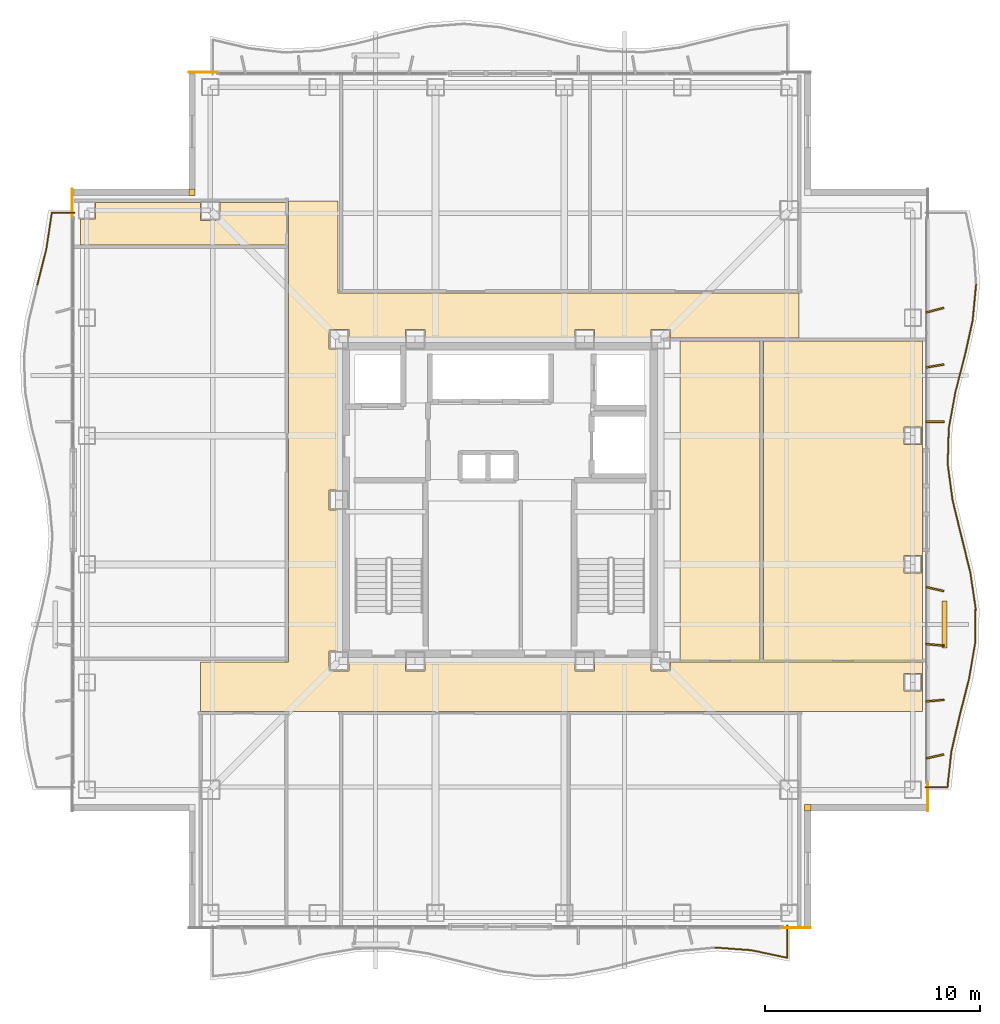
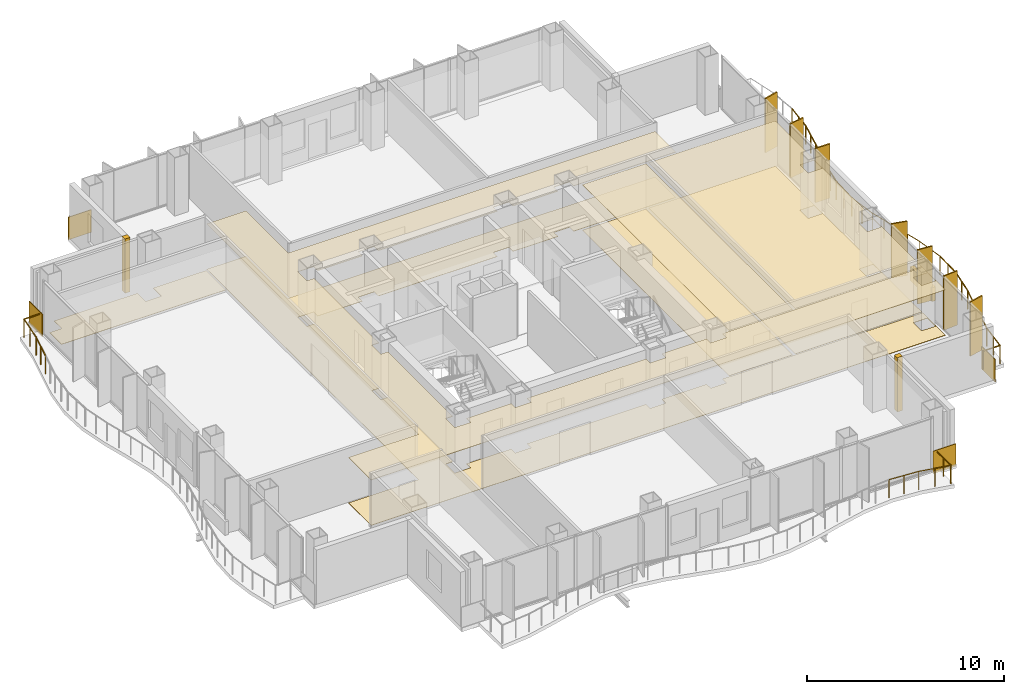
# One storey, part 15 of 16: 21 railings, 13 coverings, 8 shading devices.
"""IFC4 building model written with IfcOpenShell, lengths in metres."""

import ifcopenshell
import ifcopenshell.guid

model = None  # the IFC model being written
_history = None  # IfcOwnerHistory: only IFC2X3 demands one
_inside = {}  # id of a spatial element -> (the spatial element, [elements in it])
_under = {}  # id of a project, library or spatial element -> (it, [spatial elements below it])
_declared = {}  # id of a project -> (the project, [libraries it declares])
_typed = {}  # id of a type object -> (the type object, [elements of that type])
_made_of = {}  # id of a material, layer set ... -> (it, [elements and type objects made of it])


def new_model(schema):
    """Start an empty IFC model of exactly this schema.

    Asked for "IFC4X3", IfcOpenShell would pick the latest addendum, in which some entities
    have other attributes; the version numbers below select the first issue.
    IFC2X3 requires an IfcOwnerHistory on every rooted entity: one is made here for all.
    """
    global model, _history
    if schema == "IFC4X3":
        model = ifcopenshell.file(schema_version=(4, 3, 0, 0))
    else:
        model = ifcopenshell.file(schema=schema)
    _inside.clear()
    _under.clear()
    _declared.clear()
    _typed.clear()
    _made_of.clear()
    _history = None
    if model.schema == "IFC2X3":
        org = make("IfcOrganization", Name="unknown")
        user = make(
            "IfcPersonAndOrganization",
            ThePerson=make("IfcPerson", FamilyName="unknown"),
            TheOrganization=org,
        )
        app = make(
            "IfcApplication",
            ApplicationDeveloper=org,
            Version="unknown",
            ApplicationFullName="unknown",
            ApplicationIdentifier="unknown",
        )
        _history = make(
            "IfcOwnerHistory",
            OwningUser=user,
            OwningApplication=app,
            ChangeAction="ADDED",
            CreationDate=0,
        )
    return model


def make(cls, **values):
    """One entity of the class cls with the attributes given. An attribute that is None is left unset."""
    return model.create_entity(
        cls, **{name: value for name, value in values.items() if value is not None}
    )


def rooted(cls, **values):
    """An entity with a GlobalId (a new one), such as an element, a storey or a relation."""
    return make(cls, GlobalId=ifcopenshell.guid.new(), OwnerHistory=_history, **values)


def si_unit(unit_type, name, prefix=None):
    """IfcSIUnit, for example si_unit("LENGTHUNIT", "METRE", prefix="MILLI")."""
    return make("IfcSIUnit", UnitType=unit_type, Prefix=prefix, Name=name)


def assignment(units):
    """IfcUnitAssignment: the units of a project."""
    return None if units is None else make("IfcUnitAssignment", Units=units)


def point(xyz):
    """IfcCartesianPoint."""
    return None if xyz is None else make("IfcCartesianPoint", Coordinates=xyz)


def direction(xyz):
    """IfcDirection."""
    return None if xyz is None else make("IfcDirection", DirectionRatios=xyz)


def frame(location, z_axis=None, x_axis=None):
    """IfcAxis2Placement3D, a coordinate frame: its origin and axes. An axis left out is left unset."""
    return make(
        "IfcAxis2Placement3D",
        Location=point(location),
        Axis=direction(z_axis),
        RefDirection=direction(x_axis),
    )


def frame_2d(location, x_axis=None):
    """IfcAxis2Placement2D, a coordinate frame in the plane: its origin and x axis."""
    return make(
        "IfcAxis2Placement2D", Location=point(location), RefDirection=direction(x_axis)
    )


def origin():
    """The frame at (0, 0, 0) with its axes left unset."""
    return frame((0.0, 0.0, 0.0))


def origin_2d():
    """The frame at (0, 0) in the plane with its x axis left unset."""
    return frame_2d((0.0, 0.0))


def place(relative_to, where):
    """IfcLocalPlacement: puts the frame where relative to a parent placement (None: the world)."""
    return make(
        "IfcLocalPlacement", PlacementRelTo=relative_to, RelativePlacement=where
    )


def context(
    kind, dimensions, precision=None, world=None, true_north=None, identifier=None
):
    """IfcGeometricRepresentationContext, for example the 3D "Model" context."""
    return make(
        "IfcGeometricRepresentationContext",
        ContextIdentifier=identifier,
        ContextType=kind,
        CoordinateSpaceDimension=dimensions,
        Precision=precision,
        WorldCoordinateSystem=world,
        TrueNorth=true_north,
    )


def subcontext(parent, identifier, kind, view, scale=None):
    """IfcGeometricRepresentationSubContext, for example "Body" below "Model"."""
    return make(
        "IfcGeometricRepresentationSubContext",
        ContextIdentifier=identifier,
        ContextType=kind,
        ParentContext=parent,
        TargetScale=scale,
        TargetView=view,
    )


def project(units=None, contexts=None):
    """IfcProject with its units and contexts."""
    return rooted(
        "IfcProject",
        Name="project",
        RepresentationContexts=contexts,
        UnitsInContext=assignment(units),
    )


def spatial(cls, under=None, at=None, **own):
    """A site, building, storey or space (cls), placed at a placement, below another one or the project."""
    s = rooted(cls, ObjectPlacement=at, **own)
    if under is not None:
        _under.setdefault(under.id(), (under, []))[1].append(s)
    return s


def polyline(points):
    """IfcPolyline through the points."""
    return make("IfcPolyline", Points=[point(p) for p in points])


def profile(cls, at=None, kind="AREA", **sizes):
    """A parametric profile (cls). Its sizes go by their IFC names, for example OverallWidth=200.0."""
    return make(cls, ProfileType=kind, Position=at, **sizes)


def rectangle(**sizes):
    """IfcRectangleProfileDef."""
    return profile("IfcRectangleProfileDef", **sizes)


def circle(**sizes):
    """IfcCircleProfileDef."""
    return profile("IfcCircleProfileDef", **sizes)


def outline(outer, holes=None, kind="AREA"):
    """IfcArbitraryClosedProfileDef: a profile drawn as a closed curve; with holes, ...WithVoids."""
    if holes is None:
        return make("IfcArbitraryClosedProfileDef", ProfileType=kind, OuterCurve=outer)
    return make(
        "IfcArbitraryProfileDefWithVoids",
        ProfileType=kind,
        OuterCurve=outer,
        InnerCurves=holes,
    )


def extrude(swept, where, along, depth):
    """IfcExtrudedAreaSolid: the profile swept, set in the frame where, extruded along a direction by depth."""
    return make(
        "IfcExtrudedAreaSolid",
        SweptArea=swept,
        Position=where,
        ExtrudedDirection=direction(along),
        Depth=depth,
    )


def shape(context_of_items, identifier, shape_type, items):
    """IfcShapeRepresentation: the items that make up one representation, for example the "Body"."""
    return make(
        "IfcShapeRepresentation",
        ContextOfItems=context_of_items,
        RepresentationIdentifier=identifier,
        RepresentationType=shape_type,
        Items=items,
    )


def material(Name=None, Category=None):
    """IfcMaterial."""
    return make("IfcMaterial", Name=Name, Category=Category)


def layer(
    of_material, thickness, ventilated=None, Name=None, Category=None, Priority=None
):
    """IfcMaterialLayer: one layer of a wall or slab, of a material (None: an air gap)."""
    return make(
        "IfcMaterialLayer",
        Material=of_material,
        LayerThickness=thickness,
        IsVentilated=ventilated,
        Name=Name,
        Category=Category,
        Priority=Priority,
    )


def layer_set(layers, Name=None):
    """IfcMaterialLayerSet."""
    return make("IfcMaterialLayerSet", MaterialLayers=layers, LayerSetName=Name)


def made_of(thing, what):
    """Note that an element or type object is made of a material, layer set ...; save() writes the relation."""
    if what is not None:
        _made_of.setdefault(what.id(), (what, []))[1].append(thing)
    return thing


def type_object(cls, material=None, **own):
    """A type object (cls), such as IfcWallType, which elements share."""
    return made_of(rooted(cls, **own), material)


def element(
    cls,
    number,
    at=None,
    inside=None,
    cuts=None,
    type_object=None,
    material=None,
    context=None,
    identifier="Body",
    shape_type=None,
    held_by="IfcProductDefinitionShape",
    body=None,
    shapes=None,
    **own,
):
    """One element of the class cls, such as IfcWall. Its Tag is "e" and its number.

    at: its placement. inside: the storey or other place that contains it. cuts: it is an
    opening in that element (IfcRelVoidsElement). A single representation is given by context,
    identifier, shape_type and body (its items); several are given by shapes. held_by: the class
    of the entity that holds the representations. save() writes the other relations.
    """
    e = rooted(cls, Tag="e%d" % number, ObjectPlacement=at, **own)
    if body is not None:
        shapes = [shape(context, identifier, shape_type, body)]
    if shapes is not None:
        e.Representation = make(held_by, Representations=shapes)
    if inside is not None:
        _inside.setdefault(inside.id(), (inside, []))[1].append(e)
    if cuts is not None:
        rooted(
            "IfcRelVoidsElement", RelatingBuildingElement=cuts, RelatedOpeningElement=e
        )
    if type_object is not None:
        _typed.setdefault(type_object.id(), (type_object, []))[1].append(e)
    return made_of(e, material)


def aggregate(whole, parts):
    """IfcRelAggregates: a whole, such as a stair, and the parts it consists of."""
    return rooted("IfcRelAggregates", RelatingObject=whole, RelatedObjects=parts)


def save(model, path):
    """Write the relations noted so far, then the file.

    IfcRelAggregates (storeys below a building ...), IfcRelContainedInSpatialStructure (elements
    in a storey), IfcRelDefinesByType, IfcRelAssociatesMaterial and IfcRelDeclares: one each for
    every whole, place, type object, material and project.
    """
    for whole, parts in _under.values():
        aggregate(whole, parts)
    for where, things in _inside.values():
        rooted(
            "IfcRelContainedInSpatialStructure",
            RelatedElements=things,
            RelatingStructure=where,
        )
    for kind, things in _typed.values():
        rooted("IfcRelDefinesByType", RelatedObjects=things, RelatingType=kind)
    for what, things in _made_of.values():
        rooted("IfcRelAssociatesMaterial", RelatedObjects=things, RelatingMaterial=what)
    for by, libraries in _declared.values():
        rooted("IfcRelDeclares", RelatingContext=by, RelatedDefinitions=libraries)
    model.write(path)


model = new_model("IFC4")

# Units and contexts
model_context = context("Model", 3, precision=1e-05, world=origin(), true_north=direction((0.0, 1.0)))
body_context = subcontext(model_context, "Body", "Model", "MODEL_VIEW")
ifc_project = project(units=[si_unit("LENGTHUNIT", "METRE"), si_unit("AREAUNIT", "SQUARE_METRE"), si_unit("VOLUMEUNIT", "CUBIC_METRE"), si_unit("PLANEANGLEUNIT", "RADIAN"), si_unit("MASSUNIT", "GRAM", prefix="KILO")], contexts=[model_context])

# Site, building, storey
site_placement = place(None, origin())
site = spatial("IfcSite", under=ifc_project, at=site_placement, CompositionType="ELEMENT")
building_placement = place(site_placement, origin())
building = spatial("IfcBuilding", under=site, at=building_placement, Name="Trevonay Congress Spire", CompositionType="ELEMENT")
storey_placement = place(building_placement, frame((0.0, 0.0, 195.0)))
storey = spatial("IfcBuildingStorey", under=building, at=storey_placement, Name="L50", CompositionType="ELEMENT", Elevation=195.0)

# Coverings
ifc_material_1 = material(Name="Acoustic Mineral Fibre Board", Category="gypsum")
ifc_layer_1 = layer(ifc_material_1, 0.02490234375, Name="Acoustic Mineral Fibre Board")
ifc_layer_set_1 = layer_set([ifc_layer_1], Name="Acoustic Mineral Fibre Board")
covering_type_1 = type_object("IfcCoveringType", Name="COV-CEIL-ACOUSTIC", PredefinedType="CEILING", material=ifc_layer_set_1)
covering_1_placement = place(storey_placement, frame((0.0, 0.0, 2.81005859375)))
element("IfcCovering", 1, at=covering_1_placement, inside=storey, type_object=covering_type_1, Name="L50 Cruciform Boulevard Corridor acoustic suspended ceiling", PredefinedType="CEILING", context=body_context, shape_type="SweptSolid", body=[
    extrude(outline(polyline([(19.699951171875, -7.550048828125), (19.699951171875, -9.85009765625), (-13.949951171875, -9.85009765625), (-13.949951171875, -7.550048828125), (-9.85009765625, -7.550048828125), (-9.85009765625, 13.949951171875), (-7.550048828125, 13.949951171875), (-7.550048828125, 9.64990234375), (13.949951171875, 9.64990234375), (13.949951171875, 7.550048828125), (7.9599609375, 7.550048828125), (7.9599609375, 7.9599609375), (7.0400390625, 7.9599609375), (7.0400390625, 7.550048828125), (4.409912109375, 7.550048828125), (4.409912109375, 7.9599609375), (3.489990234375, 7.9599609375), (3.489990234375, 7.550048828125), (-3.489990234375, 7.550048828125), (-3.489990234375, 7.9599609375), (-4.409912109375, 7.9599609375), (-4.409912109375, 7.550048828125), (-7.0400390625, 7.550048828125), (-7.0400390625, 7.9599609375), (-7.9599609375, 7.9599609375), (-7.9599609375, 7.0400390625), (-7.550048828125, 7.0400390625), (-7.550048828125, 0.4599609375), (-7.9599609375, 0.4599609375), (-7.9599609375, -0.4599609375), (-7.550048828125, -0.4599609375), (-7.550048828125, -7.0400390625), (-7.9599609375, -7.0400390625), (-7.9599609375, -7.9599609375), (-7.0400390625, -7.9599609375), (-7.0400390625, -7.550048828125), (-4.409912109375, -7.550048828125), (-4.409912109375, -7.9599609375), (-3.489990234375, -7.9599609375), (-3.489990234375, -7.550048828125), (3.489990234375, -7.550048828125), (3.489990234375, -7.9599609375), (4.409912109375, -7.9599609375), (4.409912109375, -7.550048828125), (7.0400390625, -7.550048828125), (7.0400390625, -7.9599609375), (7.9599609375, -7.9599609375), (7.9599609375, -7.550048828125), (19.699951171875, -7.550048828125)]), holes=[polyline([(19.659912109375, -8.090087890625), (18.840087890625, -8.090087890625), (18.840087890625, -8.909912109375), (19.659912109375, -8.909912109375), (19.659912109375, -8.090087890625)])]), origin(), (0.0, 0.0, 1.0), 0.02490234375),
])
covering_2_placement = place(storey_placement, frame((0.0, 0.0, 2.81005859375)))
element("IfcCovering", 2, at=covering_2_placement, inside=storey, type_object=covering_type_1, Name="L50 Executive Study Office acoustic suspended ceiling", PredefinedType="CEILING", context=body_context, shape_type="SweptSolid", body=[
    extrude(outline(polyline([(8.39990234375, -7.47998046875), (12.1201171875, -7.47998046875), (12.1201171875, 7.419921875), (8.39990234375, 7.419921875), (8.39990234375, -7.47998046875)])), origin(), (0.0, 0.0, 1.0), 0.02490234375),
])
covering_3_placement = place(storey_placement, frame((0.0, 0.0, 2.81005859375)))
element("IfcCovering", 3, at=covering_3_placement, inside=storey, type_object=covering_type_1, Name="L50 Catering Pantry acoustic suspended ceiling", PredefinedType="CEILING", context=body_context, shape_type="SweptSolid", body=[
    extrude(outline(polyline([(12.280029296875, 7.419921875), (19.699951171875, 7.419921875), (19.699951171875, -7.47998046875), (12.280029296875, -7.47998046875), (12.280029296875, 7.419921875)]), holes=[polyline([(18.840087890625, -3.409912109375), (19.659912109375, -3.409912109375), (19.659912109375, -2.590087890625), (18.840087890625, -2.590087890625), (18.840087890625, -3.409912109375)]), polyline([(18.840087890625, 2.590087890625), (19.659912109375, 2.590087890625), (19.659912109375, 3.409912109375), (18.840087890625, 3.409912109375), (18.840087890625, 2.590087890625)])]), origin(), (0.0, 0.0, 1.0), 0.02490234375),
])
ifc_material_2 = material(Name="Polished Granite Floor Tile", Category="masonry")
ifc_layer_2 = layer(ifc_material_2, 0.02001953125, Name="Polished Granite Floor Tile")
ifc_layer_set_2 = layer_set([ifc_layer_2], Name="Polished Granite Floor Tile")
covering_type_2 = type_object("IfcCoveringType", Name="COV-FLOOR-STONE", PredefinedType="FLOORING", material=ifc_layer_set_2)
covering_4_placement = place(storey_placement, origin())
element("IfcCovering", 4, at=covering_4_placement, inside=storey, type_object=covering_type_2, Name="L50 Cruciform Boulevard Corridor floor finish", PredefinedType="FLOORING", context=body_context, shape_type="SweptSolid", body=[
    extrude(outline(polyline([(19.699951171875, -7.550048828125), (19.699951171875, -9.85009765625), (-13.949951171875, -9.85009765625), (-13.949951171875, -7.550048828125), (-9.85009765625, -7.550048828125), (-9.85009765625, 13.949951171875), (-7.550048828125, 13.949951171875), (-7.550048828125, 9.64990234375), (13.949951171875, 9.64990234375), (13.949951171875, 7.550048828125), (7.9599609375, 7.550048828125), (7.9599609375, 7.9599609375), (7.0400390625, 7.9599609375), (7.0400390625, 7.550048828125), (4.409912109375, 7.550048828125), (4.409912109375, 7.9599609375), (3.489990234375, 7.9599609375), (3.489990234375, 7.550048828125), (-3.489990234375, 7.550048828125), (-3.489990234375, 7.9599609375), (-4.409912109375, 7.9599609375), (-4.409912109375, 7.550048828125), (-7.0400390625, 7.550048828125), (-7.0400390625, 7.9599609375), (-7.9599609375, 7.9599609375), (-7.9599609375, 7.0400390625), (-7.550048828125, 7.0400390625), (-7.550048828125, 0.4599609375), (-7.9599609375, 0.4599609375), (-7.9599609375, -0.4599609375), (-7.550048828125, -0.4599609375), (-7.550048828125, -7.0400390625), (-7.9599609375, -7.0400390625), (-7.9599609375, -7.9599609375), (-7.0400390625, -7.9599609375), (-7.0400390625, -7.550048828125), (-4.409912109375, -7.550048828125), (-4.409912109375, -7.9599609375), (-3.489990234375, -7.9599609375), (-3.489990234375, -7.550048828125), (3.489990234375, -7.550048828125), (3.489990234375, -7.9599609375), (4.409912109375, -7.9599609375), (4.409912109375, -7.550048828125), (7.0400390625, -7.550048828125), (7.0400390625, -7.9599609375), (7.9599609375, -7.9599609375), (7.9599609375, -7.550048828125), (19.699951171875, -7.550048828125)]), holes=[polyline([(19.659912109375, -8.090087890625), (18.840087890625, -8.090087890625), (18.840087890625, -8.909912109375), (19.659912109375, -8.909912109375), (19.659912109375, -8.090087890625)])]), origin(), (0.0, 0.0, 1.0), 0.02001953125),
])
covering_5_placement = place(storey_placement, origin())
element("IfcCovering", 5, at=covering_5_placement, inside=storey, type_object=covering_type_2, Name="L50 Accessible WC floor finish", PredefinedType="FLOORING", context=body_context, shape_type="SweptSolid", body=[
    extrude(outline(polyline([(-9.929931640625, 13.8701171875), (-9.929931640625, 11.8798828125), (-19.550048828125, 11.8798828125), (-19.550048828125, 13.090087890625), (-18.840087890625, 13.090087890625), (-18.840087890625, 13.8701171875), (-13.9599609375, 13.8701171875), (-13.9599609375, 13.0400390625), (-13.0400390625, 13.0400390625), (-13.0400390625, 13.8701171875), (-9.929931640625, 13.8701171875)])), origin(), (0.0, 0.0, 1.0), 0.02001953125),
])
covering_6_placement = place(storey_placement, origin())
element("IfcCovering", 6, at=covering_6_placement, inside=storey, type_object=covering_type_2, Name="L50 Catering Pantry floor finish", PredefinedType="FLOORING", context=body_context, shape_type="SweptSolid", body=[
    extrude(outline(polyline([(12.280029296875, 7.419921875), (19.699951171875, 7.419921875), (19.699951171875, -7.47998046875), (12.280029296875, -7.47998046875), (12.280029296875, 7.419921875)]), holes=[polyline([(18.840087890625, -3.409912109375), (19.659912109375, -3.409912109375), (19.659912109375, -2.590087890625), (18.840087890625, -2.590087890625), (18.840087890625, -3.409912109375)]), polyline([(18.840087890625, 2.590087890625), (19.659912109375, 2.590087890625), (19.659912109375, 3.409912109375), (18.840087890625, 3.409912109375), (18.840087890625, 2.590087890625)])]), origin(), (0.0, 0.0, 1.0), 0.02001953125),
])
ifc_material_3 = material(Name="Engineered Oak Flooring", Category="wood")
ifc_layer_3 = layer(ifc_material_3, 0.01806640625, Name="Engineered Oak Flooring")
ifc_layer_set_3 = layer_set([ifc_layer_3], Name="Engineered Oak Flooring")
covering_type_3 = type_object("IfcCoveringType", Name="COV-FLOOR-TIMBER", PredefinedType="FLOORING", material=ifc_layer_set_3)
covering_7_placement = place(storey_placement, origin())
element("IfcCovering", 7, at=covering_7_placement, inside=storey, type_object=covering_type_3, Name="L50 Executive Study Office floor finish", PredefinedType="FLOORING", context=body_context, shape_type="SweptSolid", body=[
    extrude(outline(polyline([(8.39990234375, -7.47998046875), (12.1201171875, -7.47998046875), (12.1201171875, 7.419921875), (8.39990234375, 7.419921875), (8.39990234375, -7.47998046875)])), origin(), (0.0, 0.0, 1.0), 0.01806640625),
])
ifc_material_4 = material(Name="Pale Anodised Aluminium EN AW-6063-T6", Category="aluminium")
ifc_layer_4 = layer(ifc_material_4, 0.0400390625, Name="Pale Anodised Aluminium EN AW-6063-T6")
ifc_layer_set_4 = layer_set([ifc_layer_4], Name="Pale Anodised Aluminium EN AW-6063-T6")
covering_type_4 = type_object("IfcCoveringType", Name="COV-SPANDREL-PALE-METAL", PredefinedType="CLADDING", material=ifc_layer_set_4)
covering_8_placement = place(storey_placement, origin())
element("IfcCovering", 8, at=covering_8_placement, inside=storey, type_object=covering_type_4, Name="L50 SE re-entrant notch corner closure trim", PredefinedType="CLADDING", context=body_context, shape_type="SweptSolid", body=[
    extrude(outline(polyline([(14.199951171875, -14.5), (14.5, -14.5), (14.5, -14.199951171875), (14.199951171875, -14.199951171875), (14.199951171875, -14.5)])), origin(), (0.0, 0.0, 1.0), 3.360107421875),
])
for number, where, z_axis, x_axis, name in (
    (9, (19.93994140625, -13.14990234375, -0.14990234375), (0.0, 0.0, 1.0), (0.0, -1.0, 0.0), "L50 SE corner pier spandrel cladding 1"),
    (10, (13.14990234375, -19.93994140625, -0.14990234375), (0.0, 0.0, 1.0), (1.0, 0.0, 0.0), "L50 SE corner pier spandrel cladding 2"),
):
    element("IfcCovering", number, at=place(storey_placement, frame(where, z_axis=z_axis, x_axis=x_axis)), inside=storey, type_object=covering_type_4, Name=name, PredefinedType="CLADDING", context=body_context, shape_type="SweptSolid", body=[
        extrude(rectangle(XDim=1.35009765625, YDim=0.0400390625, at=frame_2d((0.675048828125, 0.0))), origin(), (0.0, 0.0, 1.0), 1.39990234375),
    ])
covering_9_placement = place(storey_placement, origin())
element("IfcCovering", 11, at=covering_9_placement, inside=storey, type_object=covering_type_4, Name="L50 NW re-entrant notch corner closure trim", PredefinedType="CLADDING", context=body_context, shape_type="SweptSolid", body=[
    extrude(outline(polyline([(-14.5, 14.199951171875), (-14.199951171875, 14.199951171875), (-14.199951171875, 14.5), (-14.5, 14.5), (-14.5, 14.199951171875)])), origin(), (0.0, 0.0, 1.0), 3.360107421875),
])
for number, where, z_axis, x_axis, name in (
    (12, (-19.93994140625, 13.14990234375, -0.14990234375), (0.0, 0.0, 1.0), (0.0, 1.0, 0.0), "L50 NW corner pier spandrel cladding 1"),
    (13, (-13.14990234375, 19.93994140625, -0.14990234375), (0.0, 0.0, 1.0), (-1.0, 0.0, 0.0), "L50 NW corner pier spandrel cladding 2"),
):
    element("IfcCovering", number, at=place(storey_placement, frame(where, z_axis=z_axis, x_axis=x_axis)), inside=storey, type_object=covering_type_4, Name=name, PredefinedType="CLADDING", context=body_context, shape_type="SweptSolid", body=[
        extrude(rectangle(XDim=1.35009765625, YDim=0.0400390625, at=frame_2d((0.675048828125, 0.0))), origin(), (0.0, 0.0, 1.0), 1.39990234375),
    ])

# Railings
railing_type = type_object("IfcRailingType", Name="RAL-EXT-GUARD-115", PredefinedType="GUARDRAIL", material=ifc_material_4)
railing_1_placement = place(storey_placement, frame((10.0439453125, -20.85791015625, 0.0)))
element("IfcRailing", 14, at=railing_1_placement, inside=storey, type_object=railing_type, Name="L50 perimeter safety guard GRD-L50-WAV-S-15", PredefinedType="GUARDRAIL", context=body_context, shape_type="SweptSolid", body=[
    extrude(circle(Radius=0.02392578125, at=origin_2d()), frame((0.0, 0.0, 1.1259765625), z_axis=(0.997266960741, -0.073882399892, 0.0), x_axis=(0.073882399892, 0.997266960741, 0.0)), (0.0, 0.0, 1.0), 1.6787109375),
    extrude(circle(Radius=0.02099609375, at=origin_2d()), origin(), (0.0, 0.0, 1.0), 1.101806640625),
    extrude(circle(Radius=0.02099609375, at=origin_2d()), frame((0.8369140625, -0.06201171875, 0.0)), (0.0, 0.0, 1.0), 1.101806640625),
    extrude(circle(Radius=0.02099609375, at=origin_2d()), frame((1.674072265625, -0.1240234375, 0.0)), (0.0, 0.0, 1.0), 1.101806640625),
])
railing_2_placement = place(storey_placement, frame((11.718017578125, -20.98193359375, 0.0)))
element("IfcRailing", 15, at=railing_2_placement, inside=storey, type_object=railing_type, Name="L50 perimeter safety guard GRD-L50-WAV-S-16", PredefinedType="GUARDRAIL", context=body_context, shape_type="SweptSolid", body=[
    extrude(circle(Radius=0.02392578125, at=origin_2d()), frame((0.0, 0.0, 1.1259765625), z_axis=(0.978364701011, -0.206887679228, 0.0), x_axis=(0.206887679228, 0.978364701011, 0.0)), (0.0, 0.0, 1.0), 1.711181640625),
    extrude(circle(Radius=0.02099609375, at=origin_2d()), origin(), (0.0, 0.0, 1.0), 1.101806640625),
    extrude(circle(Radius=0.02099609375, at=origin_2d()), frame((0.8369140625, -0.177001953125, 0.0)), (0.0, 0.0, 1.0), 1.101806640625),
    extrude(circle(Radius=0.02099609375, at=origin_2d()), frame((1.674072265625, -0.35400390625, 0.0)), (0.0, 0.0, 1.0), 1.101806640625),
])
railing_3_placement = place(storey_placement, frame((13.39208984375, -21.3359375, 0.0)))
element("IfcRailing", 16, at=railing_3_placement, inside=storey, type_object=railing_type, Name="L50 perimeter safety guard GRD-L50-WAV-S-17", PredefinedType="GUARDRAIL", context=body_context, shape_type="SweptSolid", body=[
    extrude(circle(Radius=0.02392578125, at=origin_2d()), frame((0.0, 0.0, 1.1259765625), z_axis=(0.0, 1.0, 0.0), x_axis=(-1.0, 0.0, 0.0)), (0.0, 0.0, 1.0), 1.495849609375),
    extrude(circle(Radius=0.02099609375, at=origin_2d()), origin(), (0.0, 0.0, 1.0), 1.101806640625),
    extrude(circle(Radius=0.02099609375, at=origin_2d()), frame((0.0, 0.748046875, 0.0)), (0.0, 0.0, 1.0), 1.101806640625),
    extrude(circle(Radius=0.02099609375, at=origin_2d()), frame((0.0, 1.495849609375, 0.0)), (0.0, 0.0, 1.0), 1.101806640625),
])
railing_4_placement = place(storey_placement, frame((20.861083984375, -13.39208984375, 0.0)))
element("IfcRailing", 17, at=railing_4_placement, inside=storey, type_object=railing_type, Name="L50 perimeter safety guard GRD-L50-WAV-E-1", PredefinedType="GUARDRAIL", context=body_context, shape_type="SweptSolid", body=[
    extrude(circle(Radius=0.02392578125, at=origin_2d()), frame((0.0, 0.0, 1.1259765625), z_axis=(0.108585568383, 0.994087106012, 0.0), x_axis=(-0.994087106012, 0.108585568383, 0.0)), (0.0, 0.0, 1.0), 1.68408203125),
    extrude(circle(Radius=0.02099609375, at=origin_2d()), origin(), (0.0, 0.0, 1.0), 1.101806640625),
    extrude(circle(Radius=0.02099609375, at=origin_2d()), frame((0.09130859375, 0.8369140625, 0.0)), (0.0, 0.0, 1.0), 1.101806640625),
    extrude(circle(Radius=0.02099609375, at=origin_2d()), frame((0.182861328125, 1.674072265625, 0.0)), (0.0, 0.0, 1.0), 1.101806640625),
])
railing_5_placement = place(storey_placement, frame((21.0439453125, -11.718017578125, 0.0)))
element("IfcRailing", 18, at=railing_5_placement, inside=storey, type_object=railing_type, Name="L50 perimeter safety guard GRD-L50-WAV-E-2", PredefinedType="GUARDRAIL", context=body_context, shape_type="SweptSolid", body=[
    extrude(circle(Radius=0.02392578125, at=origin_2d()), frame((0.0, 0.0, 1.1259765625), z_axis=(0.22575174967, 0.974184863114, 0.0), x_axis=(-0.974184863114, 0.22575174967, 0.0)), (0.0, 0.0, 1.0), 1.718505859375),
    extrude(circle(Radius=0.02099609375, at=origin_2d()), origin(), (0.0, 0.0, 1.0), 1.101806640625),
    extrude(circle(Radius=0.02099609375, at=origin_2d()), frame((0.19384765625, 0.8369140625, 0.0)), (0.0, 0.0, 1.0), 1.101806640625),
    extrude(circle(Radius=0.02099609375, at=origin_2d()), frame((0.387939453125, 1.674072265625, 0.0)), (0.0, 0.0, 1.0), 1.101806640625),
])
railing_6_placement = place(storey_placement, frame((21.431884765625, -10.0439453125, 0.0)))
element("IfcRailing", 19, at=railing_6_placement, inside=storey, type_object=railing_type, Name="L50 perimeter safety guard GRD-L50-WAV-E-3", PredefinedType="GUARDRAIL", context=body_context, shape_type="SweptSolid", body=[
    extrude(circle(Radius=0.02392578125, at=origin_2d()), frame((0.0, 0.0, 1.1259765625), z_axis=(0.247851756079, 0.968797970171, 0.0), x_axis=(-0.968797970171, 0.247851756079, 0.0)), (0.0, 0.0, 1.0), 1.727783203125),
    extrude(circle(Radius=0.02099609375, at=origin_2d()), origin(), (0.0, 0.0, 1.0), 1.101806640625),
    extrude(circle(Radius=0.02099609375, at=origin_2d()), frame((0.214111328125, 0.8369140625, 0.0)), (0.0, 0.0, 1.0), 1.101806640625),
    extrude(circle(Radius=0.02099609375, at=origin_2d()), frame((0.42822265625, 1.673828125, 0.0)), (0.0, 0.0, 1.0), 1.101806640625),
])
railing_7_placement = place(storey_placement, frame((21.860107421875, -8.3701171875, 0.0)))
element("IfcRailing", 20, at=railing_7_placement, inside=storey, type_object=railing_type, Name="L50 perimeter safety guard GRD-L50-WAV-E-4", PredefinedType="GUARDRAIL", context=body_context, shape_type="SweptSolid", body=[
    extrude(circle(Radius=0.02392578125, at=origin_2d()), frame((0.0, 0.0, 1.1259765625), z_axis=(0.168337345731, 0.985729444641, 0.0), x_axis=(-0.985729444641, 0.168337345731, 0.0)), (0.0, 0.0, 1.0), 1.6982421875),
    extrude(circle(Radius=0.02099609375, at=origin_2d()), origin(), (0.0, 0.0, 1.0), 1.101806640625),
    extrude(circle(Radius=0.02099609375, at=origin_2d()), frame((0.14306640625, 0.8369140625, 0.0)), (0.0, 0.0, 1.0), 1.101806640625),
    extrude(circle(Radius=0.02099609375, at=origin_2d()), frame((0.285888671875, 1.674072265625, 0.0)), (0.0, 0.0, 1.0), 1.101806640625),
])
railing_8_placement = place(storey_placement, frame((22.14599609375, -6.696044921875, 0.0)))
element("IfcRailing", 21, at=railing_8_placement, inside=storey, type_object=railing_type, Name="L50 perimeter safety guard GRD-L50-WAV-E-5", PredefinedType="GUARDRAIL", context=body_context, shape_type="SweptSolid", body=[
    extrude(circle(Radius=0.02392578125, at=origin_2d()), frame((0.0, 0.0, 1.1259765625), z_axis=(0.014290504999, 0.99989788552, 0.0), x_axis=(-0.99989788552, 0.014290504999, 0.0)), (0.0, 0.0, 1.0), 1.67431640625),
    extrude(circle(Radius=0.02099609375, at=origin_2d()), origin(), (0.0, 0.0, 1.0), 1.101806640625),
    extrude(circle(Radius=0.02099609375, at=origin_2d()), frame((0.011962890625, 0.8369140625, 0.0)), (0.0, 0.0, 1.0), 1.101806640625),
    extrude(circle(Radius=0.02099609375, at=origin_2d()), frame((0.02392578125, 1.674072265625, 0.0)), (0.0, 0.0, 1.0), 1.101806640625),
])
railing_9_placement = place(storey_placement, frame((22.169921875, -5.02197265625, 0.0)))
element("IfcRailing", 22, at=railing_9_placement, inside=storey, type_object=railing_type, Name="L50 perimeter safety guard GRD-L50-WAV-E-6", PredefinedType="GUARDRAIL", context=body_context, shape_type="SweptSolid", body=[
    extrude(circle(Radius=0.02392578125, at=origin_2d()), frame((0.0, 0.0, 1.1259765625), z_axis=(-0.146428407365, 0.989221270251, 0.0), x_axis=(-0.989221270251, -0.146428407365, 0.0)), (0.0, 0.0, 1.0), 1.6923828125),
    extrude(circle(Radius=0.02099609375, at=origin_2d()), origin(), (0.0, 0.0, 1.0), 1.101806640625),
    extrude(circle(Radius=0.02099609375, at=origin_2d()), frame((-0.1240234375, 0.8369140625, 0.0)), (0.0, 0.0, 1.0), 1.101806640625),
    extrude(circle(Radius=0.02099609375, at=origin_2d()), frame((-0.247802734375, 1.674072265625, 0.0)), (0.0, 0.0, 1.0), 1.101806640625),
])
railing_10_placement = place(storey_placement, frame((21.922119140625, -3.347900390625, 0.0)))
element("IfcRailing", 23, at=railing_10_placement, inside=storey, type_object=railing_type, Name="L50 perimeter safety guard GRD-L50-WAV-E-7", PredefinedType="GUARDRAIL", context=body_context, shape_type="SweptSolid", body=[
    extrude(circle(Radius=0.02392578125, at=origin_2d()), frame((0.0, 0.0, 1.1259765625), z_axis=(-0.241203150282, 0.970474646909, 0.0), x_axis=(-0.970474646909, -0.241203150282, 0.0)), (0.0, 0.0, 1.0), 1.724853515625),
    extrude(circle(Radius=0.02099609375, at=origin_2d()), origin(), (0.0, 0.0, 1.0), 1.101806640625),
    extrude(circle(Radius=0.02099609375, at=origin_2d()), frame((-0.2080078125, 0.8369140625, 0.0)), (0.0, 0.0, 1.0), 1.101806640625),
    extrude(circle(Radius=0.02099609375, at=origin_2d()), frame((-0.416015625, 1.673828125, 0.0)), (0.0, 0.0, 1.0), 1.101806640625),
])
railing_11_placement = place(storey_placement, frame((21.506103515625, -1.674072265625, 0.0)))
element("IfcRailing", 24, at=railing_11_placement, inside=storey, type_object=railing_type, Name="L50 perimeter safety guard GRD-L50-WAV-E-8", PredefinedType="GUARDRAIL", context=body_context, shape_type="SweptSolid", body=[
    extrude(circle(Radius=0.02392578125, at=origin_2d()), frame((0.0, 0.0, 1.1259765625), z_axis=(-0.236897469149, 0.97153465667, 0.0), x_axis=(-0.97153465667, -0.236897469149, 0.0)), (0.0, 0.0, 1.0), 1.72314453125),
    extrude(circle(Radius=0.02099609375, at=origin_2d()), origin(), (0.0, 0.0, 1.0), 1.101806640625),
    extrude(circle(Radius=0.02099609375, at=origin_2d()), frame((-0.2041015625, 0.8369140625, 0.0)), (0.0, 0.0, 1.0), 1.101806640625),
    extrude(circle(Radius=0.02099609375, at=origin_2d()), frame((-0.408203125, 1.674072265625, 0.0)), (0.0, 0.0, 1.0), 1.101806640625),
])
railing_12_placement = place(storey_placement, frame((21.097900390625, 0.0, 0.0)))
element("IfcRailing", 25, at=railing_12_placement, inside=storey, type_object=railing_type, Name="L50 perimeter safety guard GRD-L50-WAV-E-9", PredefinedType="GUARDRAIL", context=body_context, shape_type="SweptSolid", body=[
    extrude(circle(Radius=0.02392578125, at=origin_2d()), frame((0.0, 0.0, 1.1259765625), z_axis=(-0.133687727006, 0.991023507112, 0.0), x_axis=(-0.991023507112, -0.133687727006, 0.0)), (0.0, 0.0, 1.0), 1.689208984375),
    extrude(circle(Radius=0.02099609375, at=origin_2d()), origin(), (0.0, 0.0, 1.0), 1.101806640625),
    extrude(circle(Radius=0.02099609375, at=origin_2d()), frame((-0.11279296875, 0.8369140625, 0.0)), (0.0, 0.0, 1.0), 1.101806640625),
    extrude(circle(Radius=0.02099609375, at=origin_2d()), frame((-0.225830078125, 1.674072265625, 0.0)), (0.0, 0.0, 1.0), 1.101806640625),
])
railing_13_placement = place(storey_placement, frame((20.8720703125, 1.674072265625, 0.0)))
element("IfcRailing", 26, at=railing_13_placement, inside=storey, type_object=railing_type, Name="L50 perimeter safety guard GRD-L50-WAV-E-10", PredefinedType="GUARDRAIL", context=body_context, shape_type="SweptSolid", body=[
    extrude(circle(Radius=0.02392578125, at=origin_2d()), frame((0.0, 0.0, 1.1259765625), z_axis=(0.030470092896, 0.999535678922, 0.0), x_axis=(-0.999535678922, 0.030470092896, 0.0)), (0.0, 0.0, 1.0), 1.674560546875),
    extrude(circle(Radius=0.02099609375, at=origin_2d()), origin(), (0.0, 0.0, 1.0), 1.101806640625),
    extrude(circle(Radius=0.02099609375, at=origin_2d()), frame((0.025390625, 0.8369140625, 0.0)), (0.0, 0.0, 1.0), 1.101806640625),
    extrude(circle(Radius=0.02099609375, at=origin_2d()), frame((0.051025390625, 1.673828125, 0.0)), (0.0, 0.0, 1.0), 1.101806640625),
])
railing_14_placement = place(storey_placement, frame((20.923095703125, 3.347900390625, 0.0)))
element("IfcRailing", 27, at=railing_14_placement, inside=storey, type_object=railing_type, Name="L50 perimeter safety guard GRD-L50-WAV-E-11", PredefinedType="GUARDRAIL", context=body_context, shape_type="SweptSolid", body=[
    extrude(circle(Radius=0.02392578125, at=origin_2d()), frame((0.0, 0.0, 1.1259765625), z_axis=(0.179756462452, 0.983711143683, 0.0), x_axis=(-0.983711143683, 0.179756462452, 0.0)), (0.0, 0.0, 1.0), 1.701904296875),
    extrude(circle(Radius=0.02099609375, at=origin_2d()), origin(), (0.0, 0.0, 1.0), 1.101806640625),
    extrude(circle(Radius=0.02099609375, at=origin_2d()), frame((0.15283203125, 0.8369140625, 0.0)), (0.0, 0.0, 1.0), 1.101806640625),
    extrude(circle(Radius=0.02099609375, at=origin_2d()), frame((0.305908203125, 1.674072265625, 0.0)), (0.0, 0.0, 1.0), 1.101806640625),
])
railing_15_placement = place(storey_placement, frame((21.22900390625, 5.02197265625, 0.0)))
element("IfcRailing", 28, at=railing_15_placement, inside=storey, type_object=railing_type, Name="L50 perimeter safety guard GRD-L50-WAV-E-12", PredefinedType="GUARDRAIL", context=body_context, shape_type="SweptSolid", body=[
    extrude(circle(Radius=0.02392578125, at=origin_2d()), frame((0.0, 0.0, 1.1259765625), z_axis=(0.249805414283, 0.968296057513, 0.0), x_axis=(-0.968296057513, 0.249805414283, 0.0)), (0.0, 0.0, 1.0), 1.72900390625),
    extrude(circle(Radius=0.02099609375, at=origin_2d()), origin(), (0.0, 0.0, 1.0), 1.101806640625),
    extrude(circle(Radius=0.02099609375, at=origin_2d()), frame((0.2158203125, 0.8369140625, 0.0)), (0.0, 0.0, 1.0), 1.101806640625),
    extrude(circle(Radius=0.02099609375, at=origin_2d()), frame((0.431884765625, 1.674072265625, 0.0)), (0.0, 0.0, 1.0), 1.101806640625),
])
railing_16_placement = place(storey_placement, frame((21.660888671875, 6.696044921875, 0.0)))
element("IfcRailing", 29, at=railing_16_placement, inside=storey, type_object=railing_type, Name="L50 perimeter safety guard GRD-L50-WAV-E-13", PredefinedType="GUARDRAIL", context=body_context, shape_type="SweptSolid", body=[
    extrude(circle(Radius=0.02392578125, at=origin_2d()), frame((0.0, 0.0, 1.1259765625), z_axis=(0.218587634073, 0.975817322161, 0.0), x_axis=(-0.975817322161, 0.218587634073, 0.0)), (0.0, 0.0, 1.0), 1.715576171875),
    extrude(circle(Radius=0.02099609375, at=origin_2d()), origin(), (0.0, 0.0, 1.0), 1.101806640625),
    extrude(circle(Radius=0.02099609375, at=origin_2d()), frame((0.1875, 0.8369140625, 0.0)), (0.0, 0.0, 1.0), 1.101806640625),
    extrude(circle(Radius=0.02099609375, at=origin_2d()), frame((0.375, 1.674072265625, 0.0)), (0.0, 0.0, 1.0), 1.101806640625),
])
railing_17_placement = place(storey_placement, frame((22.035888671875, 8.3701171875, 0.0)))
element("IfcRailing", 30, at=railing_17_placement, inside=storey, type_object=railing_type, Name="L50 perimeter safety guard GRD-L50-WAV-E-14", PredefinedType="GUARDRAIL", context=body_context, shape_type="SweptSolid", body=[
    extrude(circle(Radius=0.02392578125, at=origin_2d()), frame((0.0, 0.0, 1.1259765625), z_axis=(0.094672046649, 0.995508515073, 0.0), x_axis=(-0.995508515073, 0.094672046649, 0.0)), (0.0, 0.0, 1.0), 1.681396484375),
    extrude(circle(Radius=0.02099609375, at=origin_2d()), origin(), (0.0, 0.0, 1.0), 1.101806640625),
    extrude(circle(Radius=0.02099609375, at=origin_2d()), frame((0.07958984375, 0.8369140625, 0.0)), (0.0, 0.0, 1.0), 1.101806640625),
    extrude(circle(Radius=0.02099609375, at=origin_2d()), frame((0.1591796875, 1.673828125, 0.0)), (0.0, 0.0, 1.0), 1.101806640625),
])
railing_18_placement = place(storey_placement, frame((19.840087890625, -13.39208984375, 0.0)))
element("IfcRailing", 31, at=railing_18_placement, inside=storey, type_object=railing_type, Name="L50 perimeter safety guard GRD-L50-WAV-E-34", PredefinedType="GUARDRAIL", context=body_context, shape_type="SweptSolid", body=[
    extrude(circle(Radius=0.02392578125, at=origin_2d()), frame((0.0, 0.0, 1.1259765625), z_axis=(1.0, 0.0, 0.0), x_axis=(0.0, 1.0, 0.0)), (0.0, 0.0, 1.0), 1.02099609375),
    extrude(circle(Radius=0.02099609375, at=origin_2d()), origin(), (0.0, 0.0, 1.0), 1.101806640625),
    extrude(circle(Radius=0.02099609375, at=origin_2d()), frame((1.02099609375, 0.0, 0.0)), (0.0, 0.0, 1.0), 1.101806640625),
])
railing_19_placement = place(storey_placement, frame((-19.840087890625, 13.39208984375, 0.0)))
element("IfcRailing", 32, at=railing_19_placement, inside=storey, type_object=railing_type, Name="L50 perimeter safety guard GRD-L50-WAV-W-17", PredefinedType="GUARDRAIL", context=body_context, shape_type="SweptSolid", body=[
    extrude(circle(Radius=0.02392578125, at=origin_2d()), frame((0.0, 0.0, 1.1259765625), z_axis=(-1.0, 0.0, 0.0), x_axis=(0.0, -1.0, 0.0)), (0.0, 0.0, 1.0), 1.044921875),
    extrude(circle(Radius=0.02099609375, at=origin_2d()), origin(), (0.0, 0.0, 1.0), 1.101806640625),
    extrude(circle(Radius=0.02099609375, at=origin_2d()), frame((-1.044921875, 0.0, 0.0)), (0.0, 0.0, 1.0), 1.101806640625),
])
railing_20_placement = place(storey_placement, frame((-20.885009765625, 13.39208984375, 0.0)))
element("IfcRailing", 33, at=railing_20_placement, inside=storey, type_object=railing_type, Name="L50 perimeter safety guard GRD-L50-WAV-W-18", PredefinedType="GUARDRAIL", context=body_context, shape_type="SweptSolid", body=[
    extrude(circle(Radius=0.02392578125, at=origin_2d()), frame((0.0, 0.0, 1.1259765625), z_axis=(-0.149391018303, -0.988778197398, 0.0), x_axis=(0.988778197398, -0.149391018303, 0.0)), (0.0, 0.0, 1.0), 1.693115234375),
    extrude(circle(Radius=0.02099609375, at=origin_2d()), origin(), (0.0, 0.0, 1.0), 1.101806640625),
    extrude(circle(Radius=0.02099609375, at=origin_2d()), frame((-0.12646484375, -0.8369140625, 0.0)), (0.0, 0.0, 1.0), 1.101806640625),
    extrude(circle(Radius=0.02099609375, at=origin_2d()), frame((-0.2529296875, -1.674072265625, 0.0)), (0.0, 0.0, 1.0), 1.101806640625),
])
railing_21_placement = place(storey_placement, frame((-21.137939453125, 11.718017578125, 0.0)))
element("IfcRailing", 34, at=railing_21_placement, inside=storey, type_object=railing_type, Name="L50 perimeter safety guard GRD-L50-WAV-W-19", PredefinedType="GUARDRAIL", context=body_context, shape_type="SweptSolid", body=[
    extrude(circle(Radius=0.02392578125, at=origin_2d()), frame((0.0, 0.0, 1.1259765625), z_axis=(-0.24170311011, -0.970350249427, 0.0), x_axis=(0.970350249427, -0.24170311011, 0.0)), (0.0, 0.0, 1.0), 1.725341796875),
    extrude(circle(Radius=0.02099609375, at=origin_2d()), origin(), (0.0, 0.0, 1.0), 1.101806640625),
    extrude(circle(Radius=0.02099609375, at=origin_2d()), frame((-0.20849609375, -0.8369140625, 0.0)), (0.0, 0.0, 1.0), 1.101806640625),
    extrude(circle(Radius=0.02099609375, at=origin_2d()), frame((-0.4169921875, -1.674072265625, 0.0)), (0.0, 0.0, 1.0), 1.101806640625),
])

# Shading devices
shading_device_type_1 = type_object("IfcShadingDeviceType", Name="SHD-FIN-Z3-PALE-METAL", PredefinedType="USERDEFINED", material=ifc_material_4)
for number, where, z_axis, x_axis, name in (
    (35, (20.280029296875, -11.949951171875, 0.0), (0.0, 0.0, 1.0), (-0.224780991261, 0.97440931131, 0.0), "L50 E vertical pale-metal solar fin 1"),
    (36, (20.280029296875, -9.35009765625, 0.0), (0.0, 0.0, 1.0), (-0.089415810539, 0.995994383933, 0.0), "L50 E vertical pale-metal solar fin 2"),
    (37, (20.280029296875, -6.75, 0.0), (0.0, 0.0, 1.0), (0.089415810539, 0.995994383933, 0.0), "L50 E vertical pale-metal solar fin 3"),
    (38, (20.280029296875, -4.14990234375, 0.0), (0.0, 0.0, 1.0), (0.224780991261, 0.97440931131, 0.0), "L50 E vertical pale-metal solar fin 4"),
    (39, (20.280029296875, 3.64990234375, 0.0), (0.0, 0.0, 1.0), (0.0, 1.0, 0.0), "L50 E vertical pale-metal solar fin 7"),
    (40, (20.280029296875, 6.25, 0.0), (0.0, 0.0, 1.0), (-0.16745706111, 0.98587937025, 0.0), "L50 E vertical pale-metal solar fin 8"),
    (41, (20.280029296875, 8.85009765625, 0.0), (0.0, 0.0, 1.0), (-0.2549394954, 0.966957007154, 0.0), "L50 E vertical pale-metal solar fin 9"),
):
    element("IfcShadingDevice", number, at=place(storey_placement, frame(where, z_axis=z_axis, x_axis=x_axis)), inside=storey, type_object=shading_device_type_1, Name=name, ObjectType="SOLAR FIN", PredefinedType="USERDEFINED", context=body_context, shape_type="SweptSolid", body=[
        extrude(rectangle(XDim=0.080078125, YDim=0.85009765625, at=origin_2d()), origin(), (0.0, 0.0, 1.0), 3.360107421875),
    ])
shading_device_type_2 = type_object("IfcShadingDeviceType", Name="SHD-LOUVRE-WAVE-ALUM", PredefinedType="USERDEFINED", material=ifc_material_4)
shading_device_placement = place(storey_placement, frame((20.719970703125, -5.800048828125, -0.01513671875), z_axis=(0.0, 0.0, 1.0), x_axis=(0.0, 1.0, 0.0)))
element("IfcShadingDevice", 42, at=shading_device_placement, inside=storey, type_object=shading_device_type_2, Name="L50 E sinusoidal balcony horizontal sunshade louvre", ObjectType="LOUVRE", PredefinedType="USERDEFINED", context=body_context, shape_type="SweptSolid", body=[
    extrude(rectangle(XDim=2.199951171875, YDim=0.219970703125, at=origin_2d()), origin(), (0.0, 0.0, 1.0), 0.85009765625),
])

save(model, "model.ifc")
